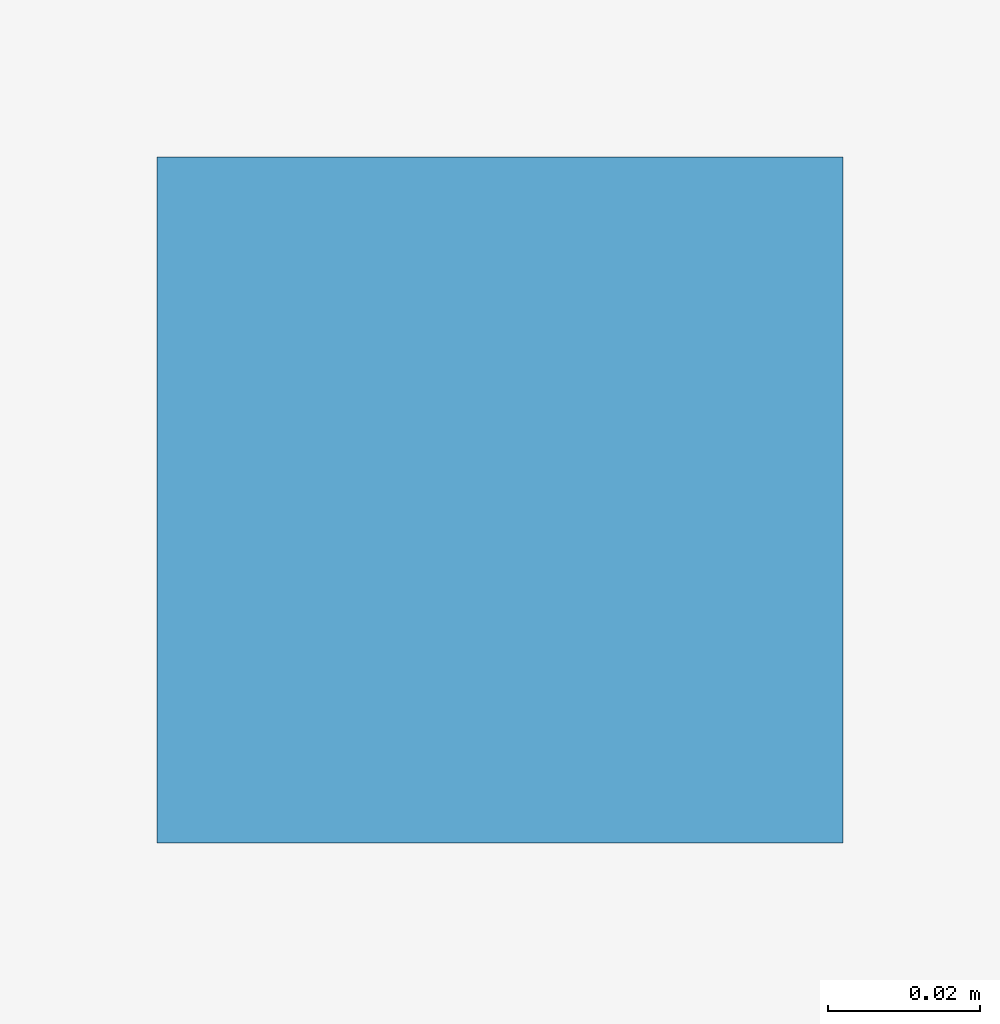
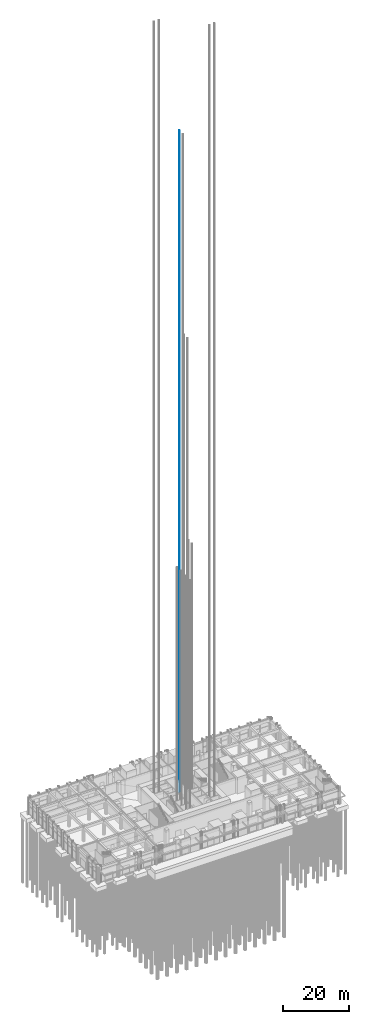
# One storey, part 42 of 46: 1 discrete accessory.
"""IFC4 building model written with IfcOpenShell, lengths in metres."""

from ifc_helpers import new_model, si_unit, direction, frame, origin, origin_2d, place, context, subcontext, project, spatial, rectangle, extrude, element, save


model = new_model("IFC4")

# Units and contexts
model_context = context("Model", 3, precision=1e-05, world=origin(), true_north=direction((0.0, 1.0)))
body_context = subcontext(model_context, "Body", "Model", "MODEL_VIEW")
ifc_project = project(units=[si_unit("LENGTHUNIT", "METRE"), si_unit("AREAUNIT", "SQUARE_METRE"), si_unit("VOLUMEUNIT", "CUBIC_METRE"), si_unit("PLANEANGLEUNIT", "RADIAN"), si_unit("MASSUNIT", "GRAM", prefix="KILO")], contexts=[model_context])

# Site, building, storey
site_placement = place(None, origin())
site = spatial("IfcSite", under=ifc_project, at=site_placement, CompositionType="ELEMENT")
building_placement = place(site_placement, origin())
building = spatial("IfcBuilding", under=site, at=building_placement, Name="Svetlomir Tower", CompositionType="ELEMENT")
storey_placement = place(building_placement, origin())
storey = spatial("IfcBuildingStorey", under=building, at=storey_placement, Name="L00", CompositionType="ELEMENT", Elevation=0.0)

# Discrete accessory
discrete_accessory_placement = place(storey_placement, frame((24.050048828125, 29.175048828125, 0.0), z_axis=(0.0, 0.0, 1.0), x_axis=(1.0, 0.0, 0.0)))
element("IfcDiscreteAccessory", 1, at=discrete_accessory_placement, inside=storey, Name="Lift SH3 guide rail 2", ObjectType="LIFT GUIDE RAIL", PredefinedType="USERDEFINED", context=body_context, shape_type="SweptSolid", body=[
    extrude(rectangle(XDim=0.090087890625, YDim=0.090087890625, at=origin_2d()), origin(), (0.0, 0.0, 1.0), 243.449951171875),
])

save(model, "model.ifc")
